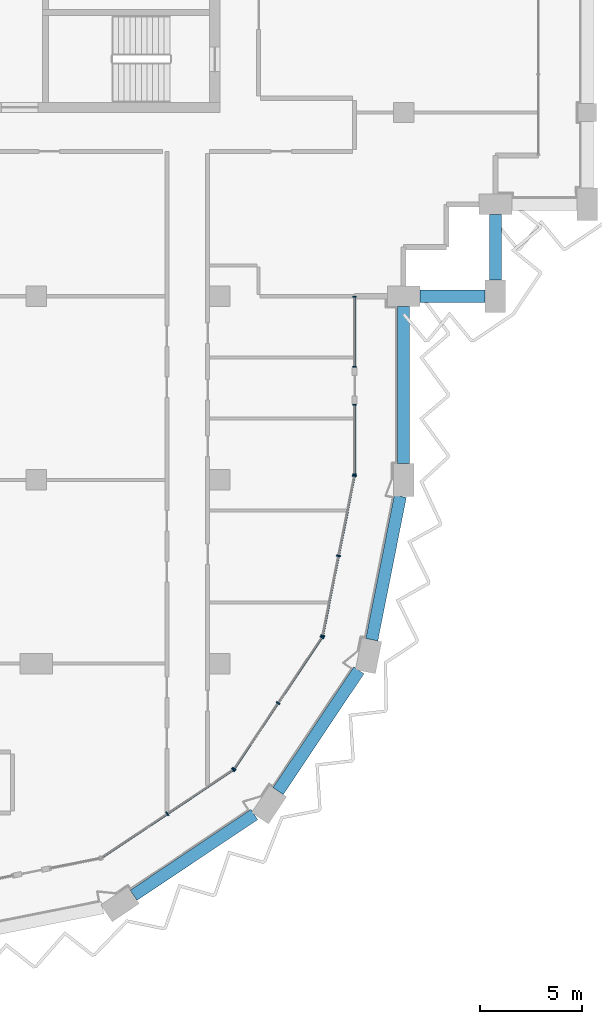
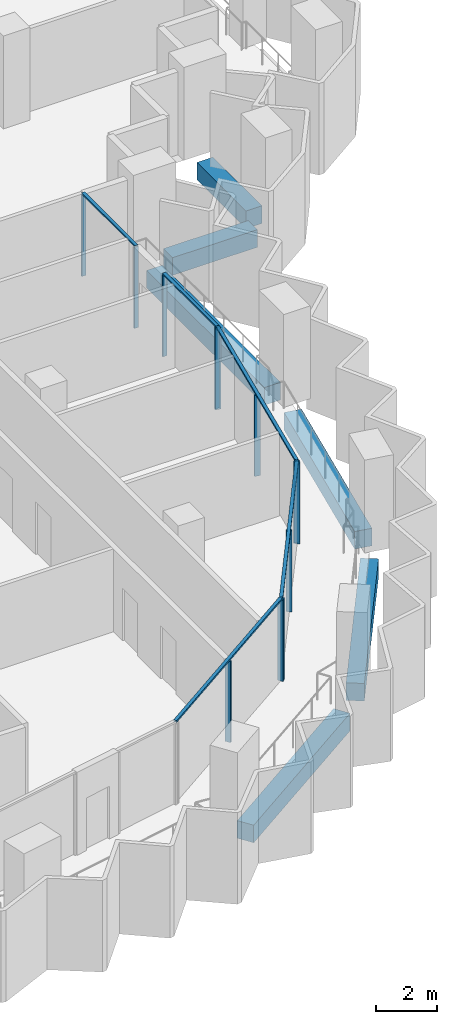
# One storey, part 3 of 16: 17 members, 6 beams, 5 elements without a shape of their own.
"""IFC4 building model written with IfcOpenShell, lengths in metres."""

import ifcopenshell
import ifcopenshell.guid

model = None  # the IFC model being written
_history = None  # IfcOwnerHistory: only IFC2X3 demands one
_inside = {}  # id of a spatial element -> (the spatial element, [elements in it])
_under = {}  # id of a project, library or spatial element -> (it, [spatial elements below it])
_declared = {}  # id of a project -> (the project, [libraries it declares])
_typed = {}  # id of a type object -> (the type object, [elements of that type])
_made_of = {}  # id of a material, layer set ... -> (it, [elements and type objects made of it])


def new_model(schema):
    """Start an empty IFC model of exactly this schema.

    Asked for "IFC4X3", IfcOpenShell would pick the latest addendum, in which some entities
    have other attributes; the version numbers below select the first issue.
    IFC2X3 requires an IfcOwnerHistory on every rooted entity: one is made here for all.
    """
    global model, _history
    if schema == "IFC4X3":
        model = ifcopenshell.file(schema_version=(4, 3, 0, 0))
    else:
        model = ifcopenshell.file(schema=schema)
    _inside.clear()
    _under.clear()
    _declared.clear()
    _typed.clear()
    _made_of.clear()
    _history = None
    if model.schema == "IFC2X3":
        org = make("IfcOrganization", Name="unknown")
        user = make(
            "IfcPersonAndOrganization",
            ThePerson=make("IfcPerson", FamilyName="unknown"),
            TheOrganization=org,
        )
        app = make(
            "IfcApplication",
            ApplicationDeveloper=org,
            Version="unknown",
            ApplicationFullName="unknown",
            ApplicationIdentifier="unknown",
        )
        _history = make(
            "IfcOwnerHistory",
            OwningUser=user,
            OwningApplication=app,
            ChangeAction="ADDED",
            CreationDate=0,
        )
    return model


def make(cls, **values):
    """One entity of the class cls with the attributes given. An attribute that is None is left unset."""
    return model.create_entity(
        cls, **{name: value for name, value in values.items() if value is not None}
    )


def rooted(cls, **values):
    """An entity with a GlobalId (a new one), such as an element, a storey or a relation."""
    return make(cls, GlobalId=ifcopenshell.guid.new(), OwnerHistory=_history, **values)


def si_unit(unit_type, name, prefix=None):
    """IfcSIUnit, for example si_unit("LENGTHUNIT", "METRE", prefix="MILLI")."""
    return make("IfcSIUnit", UnitType=unit_type, Prefix=prefix, Name=name)


def assignment(units):
    """IfcUnitAssignment: the units of a project."""
    return None if units is None else make("IfcUnitAssignment", Units=units)


def point(xyz):
    """IfcCartesianPoint."""
    return None if xyz is None else make("IfcCartesianPoint", Coordinates=xyz)


def direction(xyz):
    """IfcDirection."""
    return None if xyz is None else make("IfcDirection", DirectionRatios=xyz)


def frame(location, z_axis=None, x_axis=None):
    """IfcAxis2Placement3D, a coordinate frame: its origin and axes. An axis left out is left unset."""
    return make(
        "IfcAxis2Placement3D",
        Location=point(location),
        Axis=direction(z_axis),
        RefDirection=direction(x_axis),
    )


def frame_2d(location, x_axis=None):
    """IfcAxis2Placement2D, a coordinate frame in the plane: its origin and x axis."""
    return make(
        "IfcAxis2Placement2D", Location=point(location), RefDirection=direction(x_axis)
    )


def origin():
    """The frame at (0, 0, 0) with its axes left unset."""
    return frame((0.0, 0.0, 0.0))


def origin_2d():
    """The frame at (0, 0) in the plane with its x axis left unset."""
    return frame_2d((0.0, 0.0))


def place(relative_to, where):
    """IfcLocalPlacement: puts the frame where relative to a parent placement (None: the world)."""
    return make(
        "IfcLocalPlacement", PlacementRelTo=relative_to, RelativePlacement=where
    )


def context(
    kind, dimensions, precision=None, world=None, true_north=None, identifier=None
):
    """IfcGeometricRepresentationContext, for example the 3D "Model" context."""
    return make(
        "IfcGeometricRepresentationContext",
        ContextIdentifier=identifier,
        ContextType=kind,
        CoordinateSpaceDimension=dimensions,
        Precision=precision,
        WorldCoordinateSystem=world,
        TrueNorth=true_north,
    )


def subcontext(parent, identifier, kind, view, scale=None):
    """IfcGeometricRepresentationSubContext, for example "Body" below "Model"."""
    return make(
        "IfcGeometricRepresentationSubContext",
        ContextIdentifier=identifier,
        ContextType=kind,
        ParentContext=parent,
        TargetScale=scale,
        TargetView=view,
    )


def project(units=None, contexts=None):
    """IfcProject with its units and contexts."""
    return rooted(
        "IfcProject",
        Name="project",
        RepresentationContexts=contexts,
        UnitsInContext=assignment(units),
    )


def spatial(cls, under=None, at=None, **own):
    """A site, building, storey or space (cls), placed at a placement, below another one or the project."""
    s = rooted(cls, ObjectPlacement=at, **own)
    if under is not None:
        _under.setdefault(under.id(), (under, []))[1].append(s)
    return s


def profile(cls, at=None, kind="AREA", **sizes):
    """A parametric profile (cls). Its sizes go by their IFC names, for example OverallWidth=200.0."""
    return make(cls, ProfileType=kind, Position=at, **sizes)


def rectangle(**sizes):
    """IfcRectangleProfileDef."""
    return profile("IfcRectangleProfileDef", **sizes)


def extrude(swept, where, along, depth):
    """IfcExtrudedAreaSolid: the profile swept, set in the frame where, extruded along a direction by depth."""
    return make(
        "IfcExtrudedAreaSolid",
        SweptArea=swept,
        Position=where,
        ExtrudedDirection=direction(along),
        Depth=depth,
    )


def shape(context_of_items, identifier, shape_type, items):
    """IfcShapeRepresentation: the items that make up one representation, for example the "Body"."""
    return make(
        "IfcShapeRepresentation",
        ContextOfItems=context_of_items,
        RepresentationIdentifier=identifier,
        RepresentationType=shape_type,
        Items=items,
    )


def material(Name=None, Category=None):
    """IfcMaterial."""
    return make("IfcMaterial", Name=Name, Category=Category)


def material_profile(
    of_material, cross_section, Name=None, Category=None, Priority=None
):
    """IfcMaterialProfile: a cross section and its material."""
    return make(
        "IfcMaterialProfile",
        Name=Name,
        Material=of_material,
        Profile=cross_section,
        Priority=Priority,
        Category=Category,
    )


def profile_set(profiles, Name=None, composite=None):
    """IfcMaterialProfileSet."""
    return make(
        "IfcMaterialProfileSet",
        Name=Name,
        MaterialProfiles=profiles,
        CompositeProfile=composite,
    )


def made_of(thing, what):
    """Note that an element or type object is made of a material, layer set ...; save() writes the relation."""
    if what is not None:
        _made_of.setdefault(what.id(), (what, []))[1].append(thing)
    return thing


def type_object(cls, material=None, **own):
    """A type object (cls), such as IfcWallType, which elements share."""
    return made_of(rooted(cls, **own), material)


def element(
    cls,
    number,
    at=None,
    inside=None,
    cuts=None,
    type_object=None,
    material=None,
    context=None,
    identifier="Body",
    shape_type=None,
    held_by="IfcProductDefinitionShape",
    body=None,
    shapes=None,
    **own,
):
    """One element of the class cls, such as IfcWall. Its Tag is "e" and its number.

    at: its placement. inside: the storey or other place that contains it. cuts: it is an
    opening in that element (IfcRelVoidsElement). A single representation is given by context,
    identifier, shape_type and body (its items); several are given by shapes. held_by: the class
    of the entity that holds the representations. save() writes the other relations.
    """
    e = rooted(cls, Tag="e%d" % number, ObjectPlacement=at, **own)
    if body is not None:
        shapes = [shape(context, identifier, shape_type, body)]
    if shapes is not None:
        e.Representation = make(held_by, Representations=shapes)
    if inside is not None:
        _inside.setdefault(inside.id(), (inside, []))[1].append(e)
    if cuts is not None:
        rooted(
            "IfcRelVoidsElement", RelatingBuildingElement=cuts, RelatedOpeningElement=e
        )
    if type_object is not None:
        _typed.setdefault(type_object.id(), (type_object, []))[1].append(e)
    return made_of(e, material)


def aggregate(whole, parts):
    """IfcRelAggregates: a whole, such as a stair, and the parts it consists of."""
    return rooted("IfcRelAggregates", RelatingObject=whole, RelatedObjects=parts)


def save(model, path):
    """Write the relations noted so far, then the file.

    IfcRelAggregates (storeys below a building ...), IfcRelContainedInSpatialStructure (elements
    in a storey), IfcRelDefinesByType, IfcRelAssociatesMaterial and IfcRelDeclares: one each for
    every whole, place, type object, material and project.
    """
    for whole, parts in _under.values():
        aggregate(whole, parts)
    for where, things in _inside.values():
        rooted(
            "IfcRelContainedInSpatialStructure",
            RelatedElements=things,
            RelatingStructure=where,
        )
    for kind, things in _typed.values():
        rooted("IfcRelDefinesByType", RelatedObjects=things, RelatingType=kind)
    for what, things in _made_of.values():
        rooted("IfcRelAssociatesMaterial", RelatedObjects=things, RelatingMaterial=what)
    for by, libraries in _declared.values():
        rooted("IfcRelDeclares", RelatingContext=by, RelatedDefinitions=libraries)
    model.write(path)


model = new_model("IFC4")

# Units and contexts
model_context = context("Model", 3, precision=1e-05, world=origin(), true_north=direction((0.0, 1.0)))
body_context = subcontext(model_context, "Body", "Model", "MODEL_VIEW")
ifc_project = project(units=[si_unit("LENGTHUNIT", "METRE"), si_unit("AREAUNIT", "SQUARE_METRE"), si_unit("VOLUMEUNIT", "CUBIC_METRE"), si_unit("PLANEANGLEUNIT", "RADIAN"), si_unit("MASSUNIT", "GRAM", prefix="KILO")], contexts=[model_context])

# Site, building, storey
site_placement = place(None, origin())
site = spatial("IfcSite", under=ifc_project, at=site_placement, CompositionType="ELEMENT")
building_placement = place(site_placement, origin())
building = spatial("IfcBuilding", under=site, at=building_placement, Name="Hunhe Ridgeline Campus", CompositionType="ELEMENT")
storey_placement = place(building_placement, frame((0.0, 0.0, 254.0)))
storey = spatial("IfcBuildingStorey", under=building, at=storey_placement, Name="L65", CompositionType="ELEMENT", Elevation=254.0)

# Curtain wall, members
ifc_material_1 = material(Name="Aluminium 6063", Category="aluminium")
curtain_wall_type_1 = type_object("IfcCurtainWallType", Name="Curtain wall CW-1", PredefinedType="NOTDEFINED", material=ifc_material_1)
curtain_wall_1_placement = place(storey_placement, origin())
curtain_wall_1 = element("IfcCurtainWall", 1, at=curtain_wall_1_placement, inside=storey, type_object=curtain_wall_type_1, Name="Curtain wall 11", PredefinedType="NOTDEFINED")
ifc_material_profile_1 = material_profile(ifc_material_1, rectangle(XDim=0.159912109375, YDim=0.06005859375, at=origin_2d()))
ifc_profile_set_1 = profile_set([ifc_material_profile_1], Name="Aluminium 6063")
member_type_1 = type_object("IfcMemberType", Name="CW-1 aluminium mullion", PredefinedType="MULLION", material=ifc_profile_set_1)
member_1_placement = place(storey_placement, frame((42.59912109375, 45.266357421875, 0.0), z_axis=(0.0, 0.0, 1.0), x_axis=(-0.999999999815, 1.9241592e-05, 0.0)))
member_1 = element("IfcMember", 2, at=member_1_placement, type_object=member_type_1, Name="CW-1 mullion 1", PredefinedType="MULLION", context=body_context, shape_type="SweptSolid", body=[
    extrude(rectangle(XDim=0.159912109375, YDim=0.06005859375, at=origin_2d()), origin(), (0.0, 0.0, 1.0), 3.239990234375),
])
member_2_placement = place(storey_placement, frame((42.59912109375, 48.6884765625, 0.0), z_axis=(0.0, 0.0, 1.0), x_axis=(-0.999999999815, 1.9241592e-05, 0.0)))
member_2 = element("IfcMember", 3, at=member_2_placement, type_object=member_type_1, Name="CW-1 mullion 2", PredefinedType="MULLION", context=body_context, shape_type="SweptSolid", body=[
    extrude(rectangle(XDim=0.159912109375, YDim=0.06005859375, at=origin_2d()), origin(), (0.0, 0.0, 1.0), 3.239990234375),
])

curtain_wall_2_placement = place(storey_placement, origin())
curtain_wall_2 = element("IfcCurtainWall", 4, at=curtain_wall_2_placement, inside=storey, type_object=curtain_wall_type_1, Name="Curtain wall 12", PredefinedType="NOTDEFINED")
member_3_placement = place(storey_placement, frame((42.59912109375, 50.548583984375, 0.0), z_axis=(0.0, 0.0, 1.0), x_axis=(-0.999999999815, 1.9241592e-05, 0.0)))
member_3 = element("IfcMember", 5, at=member_3_placement, type_object=member_type_1, Name="CW-1 mullion 1", PredefinedType="MULLION", context=body_context, shape_type="SweptSolid", body=[
    extrude(rectangle(XDim=0.159912109375, YDim=0.06005859375, at=origin_2d()), origin(), (0.0, 0.0, 1.0), 3.239990234375),
])
member_4_placement = place(storey_placement, frame((42.59912109375, 53.970458984375, 0.0), z_axis=(0.0, 0.0, 1.0), x_axis=(-0.999999999815, 1.9241592e-05, 0.0)))
member_4 = element("IfcMember", 6, at=member_4_placement, type_object=member_type_1, Name="CW-1 mullion 2", PredefinedType="MULLION", context=body_context, shape_type="SweptSolid", body=[
    extrude(rectangle(XDim=0.159912109375, YDim=0.06005859375, at=origin_2d()), origin(), (0.0, 0.0, 1.0), 3.239990234375),
])

# Member
ifc_material_profile_2 = material_profile(ifc_material_1, rectangle(XDim=0.1201171875, YDim=0.06005859375, at=origin_2d()))
ifc_profile_set_2 = profile_set([ifc_material_profile_2], Name="Aluminium 6063")
member_type_2 = type_object("IfcMemberType", Name="CW-1 aluminium transom", PredefinedType="USERDEFINED", material=ifc_profile_set_2)
member_5_placement = place(storey_placement, frame((42.59912109375, 45.236572265625, 3.27001953125), z_axis=(0.0, 1.0, 0.0), x_axis=(-1.0, 0.0, 0.0)))
member_5 = element("IfcMember", 7, at=member_5_placement, type_object=member_type_2, Name="CW-1 transom 1", ObjectType="TRANSOM", PredefinedType="USERDEFINED", context=body_context, shape_type="SweptSolid", body=[
    extrude(rectangle(XDim=0.1201171875, YDim=0.06005859375, at=origin_2d()), origin(), (0.0, 0.0, 1.0), 3.48193359375),
])

aggregate(curtain_wall_1, [member_5, member_1, member_2])

member_6_placement = place(storey_placement, frame((42.59912109375, 50.5185546875, 3.27001953125), z_axis=(0.0, 1.0, 0.0), x_axis=(-1.0, 0.0, 0.0)))
member_6 = element("IfcMember", 8, at=member_6_placement, type_object=member_type_2, Name="CW-1 transom 1", ObjectType="TRANSOM", PredefinedType="USERDEFINED", context=body_context, shape_type="SweptSolid", body=[
    extrude(rectangle(XDim=0.1201171875, YDim=0.06005859375, at=origin_2d()), origin(), (0.0, 0.0, 1.0), 3.48193359375),
])

aggregate(curtain_wall_2, [member_6, member_3, member_4])

# Curtain wall, members
curtain_wall_type_2 = type_object("IfcCurtainWallType", Name="Curtain wall CW-5", PredefinedType="NOTDEFINED", material=ifc_material_1)
curtain_wall_3_placement = place(storey_placement, origin())
curtain_wall_3 = element("IfcCurtainWall", 9, at=curtain_wall_3_placement, inside=storey, type_object=curtain_wall_type_2, Name="Curtain wall 08", PredefinedType="NOTDEFINED")
ifc_material_profile_3 = material_profile(ifc_material_1, rectangle(XDim=0.199951171875, YDim=0.070068359375, at=origin_2d()))
ifc_profile_set_3 = profile_set([ifc_material_profile_3], Name="Aluminium 6063")
member_type_3 = type_object("IfcMemberType", Name="CW-5 aluminium mullion", PredefinedType="MULLION", material=ifc_profile_set_3)
member_7_placement = place(storey_placement, frame((33.42626953125, 28.647705078125, 0.0), z_axis=(0.0, 0.0, 1.0), x_axis=(-0.555570274596, 0.831469584522, 0.0)))
member_7 = element("IfcMember", 10, at=member_7_placement, type_object=member_type_3, Name="CW-5 mullion 2", PredefinedType="MULLION", context=body_context, shape_type="SweptSolid", body=[
    extrude(rectangle(XDim=0.199951171875, YDim=0.070068359375, at=origin_2d()), origin(), (0.0, 0.0, 1.0), 3.22998046875),
])
member_8_placement = place(storey_placement, frame((36.649658203125, 30.8017578125, 0.0), z_axis=(0.0, 0.0, 1.0), x_axis=(-0.555570274596, 0.831469584522, 0.0)))
member_8 = element("IfcMember", 11, at=member_8_placement, type_object=member_type_3, Name="CW-5 mullion 3", PredefinedType="MULLION", context=body_context, shape_type="SweptSolid", body=[
    extrude(rectangle(XDim=0.199951171875, YDim=0.070068359375, at=origin_2d()), origin(), (0.0, 0.0, 1.0), 3.22998046875),
])

curtain_wall_4_placement = place(storey_placement, origin())
curtain_wall_4 = element("IfcCurtainWall", 12, at=curtain_wall_4_placement, inside=storey, type_object=curtain_wall_type_2, Name="Curtain wall 09", PredefinedType="NOTDEFINED")
member_9_placement = place(storey_placement, frame((36.6982421875, 30.850341796875, 0.0), z_axis=(0.0, 0.0, 1.0), x_axis=(-0.831469584522, 0.555570274596, 0.0)))
member_9 = element("IfcMember", 13, at=member_9_placement, type_object=member_type_3, Name="CW-5 mullion 1", PredefinedType="MULLION", context=body_context, shape_type="SweptSolid", body=[
    extrude(rectangle(XDim=0.199951171875, YDim=0.070068359375, at=origin_2d()), origin(), (0.0, 0.0, 1.0), 3.22998046875),
])
member_10_placement = place(storey_placement, frame((38.852294921875, 34.07373046875, 0.0), z_axis=(0.0, 0.0, 1.0), x_axis=(-0.831469584522, 0.555570274596, 0.0)))
member_10 = element("IfcMember", 14, at=member_10_placement, type_object=member_type_3, Name="CW-5 mullion 2", PredefinedType="MULLION", context=body_context, shape_type="SweptSolid", body=[
    extrude(rectangle(XDim=0.199951171875, YDim=0.070068359375, at=origin_2d()), origin(), (0.0, 0.0, 1.0), 3.22998046875),
])
member_11_placement = place(storey_placement, frame((41.006103515625, 37.29736328125, 0.0), z_axis=(0.0, 0.0, 1.0), x_axis=(-0.831469584522, 0.555570274596, 0.0)))
member_11 = element("IfcMember", 15, at=member_11_placement, type_object=member_type_3, Name="CW-5 mullion 3", PredefinedType="MULLION", context=body_context, shape_type="SweptSolid", body=[
    extrude(rectangle(XDim=0.199951171875, YDim=0.070068359375, at=origin_2d()), origin(), (0.0, 0.0, 1.0), 3.22998046875),
])

curtain_wall_5_placement = place(storey_placement, origin())
curtain_wall_5 = element("IfcCurtainWall", 16, at=curtain_wall_5_placement, inside=storey, type_object=curtain_wall_type_2, Name="Curtain wall 10", PredefinedType="NOTDEFINED")
member_12_placement = place(storey_placement, frame((41.032470703125, 37.36083984375, 0.0), z_axis=(0.0, 0.0, 1.0), x_axis=(-0.980785284939, 0.195090299215, 0.0)))
member_12 = element("IfcMember", 17, at=member_12_placement, type_object=member_type_3, Name="CW-5 mullion 1", PredefinedType="MULLION", context=body_context, shape_type="SweptSolid", body=[
    extrude(rectangle(XDim=0.199951171875, YDim=0.070068359375, at=origin_2d()), origin(), (0.0, 0.0, 1.0), 3.22998046875),
])
member_13_placement = place(storey_placement, frame((41.812255859375, 41.281494140625, 0.0), z_axis=(0.0, 0.0, 1.0), x_axis=(-0.980785284939, 0.195090299215, 0.0)))
member_13 = element("IfcMember", 18, at=member_13_placement, type_object=member_type_3, Name="CW-5 mullion 2", PredefinedType="MULLION", context=body_context, shape_type="SweptSolid", body=[
    extrude(rectangle(XDim=0.199951171875, YDim=0.070068359375, at=origin_2d()), origin(), (0.0, 0.0, 1.0), 3.22998046875),
])
member_14_placement = place(storey_placement, frame((42.59228515625, 45.2021484375, 0.0), z_axis=(0.0, 0.0, 1.0), x_axis=(-0.980785284939, 0.195090299215, 0.0)))
member_14 = element("IfcMember", 19, at=member_14_placement, type_object=member_type_3, Name="CW-5 mullion 3", PredefinedType="MULLION", context=body_context, shape_type="SweptSolid", body=[
    extrude(rectangle(XDim=0.199951171875, YDim=0.070068359375, at=origin_2d()), origin(), (0.0, 0.0, 1.0), 3.22998046875),
])

# Member
ifc_material_profile_4 = material_profile(ifc_material_1, rectangle(XDim=0.1201171875, YDim=0.070068359375, at=origin_2d()))
ifc_profile_set_4 = profile_set([ifc_material_profile_4], Name="Aluminium 6063")
member_type_4 = type_object("IfcMemberType", Name="CW-5 aluminium transom", PredefinedType="USERDEFINED", material=ifc_profile_set_4)
member_15_placement = place(storey_placement, frame((30.173583984375, 26.474365234375, 3.264892578125), z_axis=(0.831473763475, 0.5555640203, 0.0), x_axis=(-0.5555640203, 0.831473763475, 0.0)))
member_15 = element("IfcMember", 20, at=member_15_placement, type_object=member_type_4, Name="CW-5 transom 1", ObjectType="TRANSOM", PredefinedType="USERDEFINED", context=body_context, shape_type="SweptSolid", body=[
    extrude(rectangle(XDim=0.1201171875, YDim=0.070068359375, at=origin_2d()), origin(), (0.0, 0.0, 1.0), 7.823974609375),
])

aggregate(curtain_wall_3, [member_15, member_7, member_8])

member_16_placement = place(storey_placement, frame((36.678955078125, 30.821044921875, 3.264892578125), z_axis=(0.5555640203, 0.831473763475, 0.0), x_axis=(-0.831473763475, 0.5555640203, 0.0)))
member_16 = element("IfcMember", 21, at=member_16_placement, type_object=member_type_4, Name="CW-5 transom 1", ObjectType="TRANSOM", PredefinedType="USERDEFINED", context=body_context, shape_type="SweptSolid", body=[
    extrude(rectangle(XDim=0.1201171875, YDim=0.070068359375, at=origin_2d()), origin(), (0.0, 0.0, 1.0), 7.823974609375),
])

aggregate(curtain_wall_4, [member_16, member_9, member_10, member_11])

member_17_placement = place(storey_placement, frame((41.025634765625, 37.326416015625, 3.264892578125), z_axis=(0.195097290093, 0.980783894341, 0.0), x_axis=(-0.980783894341, 0.195097290093, 0.0)))
member_17 = element("IfcMember", 22, at=member_17_placement, type_object=member_type_4, Name="CW-5 transom 1", ObjectType="TRANSOM", PredefinedType="USERDEFINED", context=body_context, shape_type="SweptSolid", body=[
    extrude(rectangle(XDim=0.1201171875, YDim=0.070068359375, at=origin_2d()), origin(), (0.0, 0.0, 1.0), 8.065185546875),
])

aggregate(curtain_wall_5, [member_17, member_12, member_13, member_14])

# Beams
ifc_material_2 = material(Name="Concrete C50", Category="concrete")
ifc_material_profile_5 = material_profile(ifc_material_2, rectangle(XDim=0.60009765625, YDim=0.699951171875, at=origin_2d()))
ifc_profile_set_5 = profile_set([ifc_material_profile_5], Name="Concrete C50")
beam_type = type_object("IfcBeamType", Name="RC spandrel beam 600x700 Concrete C50", PredefinedType="SPANDREL", material=ifc_profile_set_5)
for number, where, z_axis, x_axis, name in (
    (23, (31.775634765625, 24.6572265625, -0.60009765625), (0.831463706344, 0.55557907181, 0.0), (-0.55557907181, 0.831463706344, 0.0), "Spandrel beam B4-6 L65"),
    (24, (38.854248046875, 29.75537109375, -0.60009765625), (0.55557907181, 0.831463706344, 0.0), (-0.831463706344, 0.55557907181, 0.0), "Spandrel beam B4-7 L65"),
):
    element("IfcBeam", number, at=place(storey_placement, frame(where, z_axis=z_axis, x_axis=x_axis)), inside=storey, type_object=beam_type, Name=name, PredefinedType="SPANDREL", context=body_context, shape_type="SweptSolid", body=[
        extrude(rectangle(XDim=0.60009765625, YDim=0.699951171875, at=origin_2d()), origin(), (0.0, 0.0, 1.0), 7.113037109375),
    ])
beam_1_placement = place(storey_placement, frame((43.443359375, 37.17431640625, -0.60009765625), z_axis=(0.195087004291, 0.980785940334, 0.0), x_axis=(-0.980785940334, 0.195087004291, 0.0)))
element("IfcBeam", 25, at=beam_1_placement, inside=storey, type_object=beam_type, Name="Spandrel beam B4-8 L65", PredefinedType="SPANDREL", context=body_context, shape_type="SweptSolid", body=[
    extrude(rectangle(XDim=0.60009765625, YDim=0.699951171875, at=origin_2d()), origin(), (0.0, 0.0, 1.0), 7.163330078125),
])
beam_2_placement = place(storey_placement, frame((45.0, 45.800048828125, -0.60009765625), z_axis=(0.0, 1.0, 0.0), x_axis=(-1.0, 0.0, 0.0)))
element("IfcBeam", 26, at=beam_2_placement, inside=storey, type_object=beam_type, Name="Spandrel beam B4-9 L65", PredefinedType="SPANDREL", context=body_context, shape_type="SweptSolid", body=[
    extrude(rectangle(XDim=0.60009765625, YDim=0.699951171875, at=origin_2d()), origin(), (0.0, 0.0, 1.0), 7.699951171875),
])
for number, where, z_axis, x_axis, name in (
    (27, (45.800048828125, 54.0, -0.60009765625), (1.0, 0.0, 0.0), (0.0, 1.0, 0.0), "Spandrel beam B4-10 L65"),
    (28, (49.5, 54.800048828125, -0.60009765625), (0.0, 1.0, 0.0), (-1.0, 0.0, 0.0), "Spandrel beam B4-11 L65"),
):
    element("IfcBeam", number, at=place(storey_placement, frame(where, z_axis=z_axis, x_axis=x_axis)), inside=storey, type_object=beam_type, Name=name, PredefinedType="SPANDREL", context=body_context, shape_type="SweptSolid", body=[
        extrude(rectangle(XDim=0.60009765625, YDim=0.699951171875, at=origin_2d()), origin(), (0.0, 0.0, 1.0), 3.199951171875),
    ])

save(model, "model.ifc")
